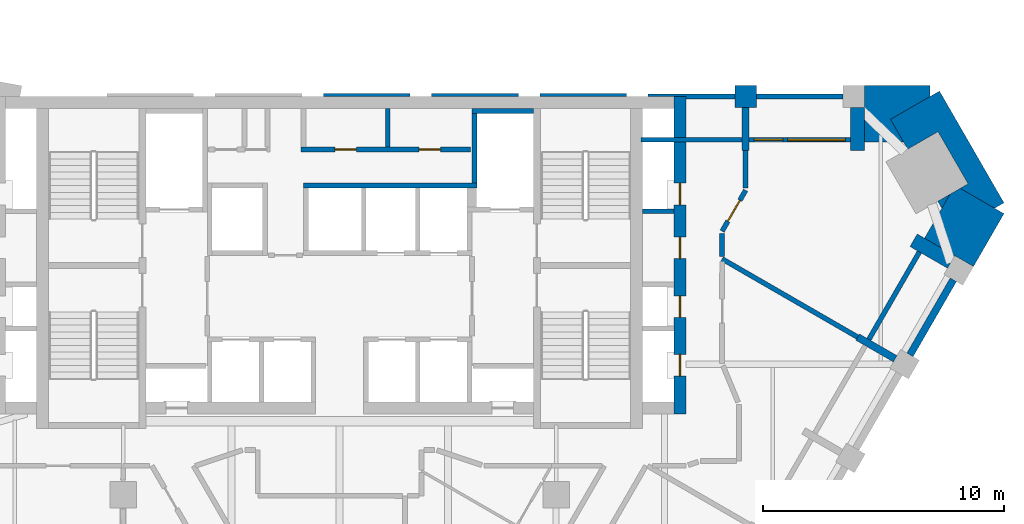
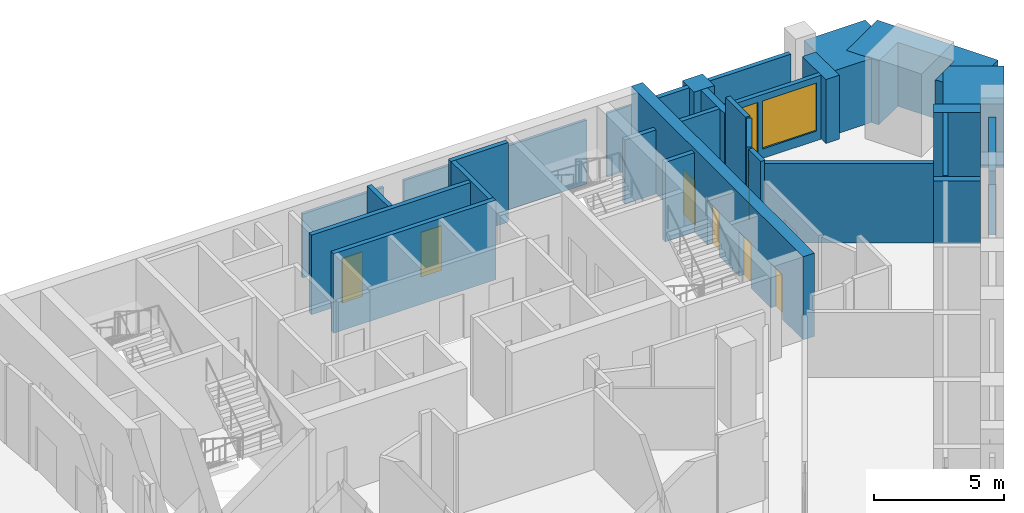
# One storey, part 7 of 9: 29 walls, 8 doors, 1 window, 9 openings.
"""IFC4 building model written with IfcOpenShell, lengths in metres."""

from ifc_helpers import new_model, si_unit, direction, frame, frame_2d, origin, place, context, subcontext, project, spatial, polyline, rectangle, outline, extrude, material, layer, layer_set, type_object, element, fill, save


model = new_model("IFC4")

# Units and contexts
model_context = context("Model", 3, precision=1e-05, world=origin(), true_north=direction((0.0, 1.0)))
body_context = subcontext(model_context, "Body", "Model", "MODEL_VIEW")
ifc_project = project(units=[si_unit("LENGTHUNIT", "METRE"), si_unit("AREAUNIT", "SQUARE_METRE"), si_unit("VOLUMEUNIT", "CUBIC_METRE"), si_unit("PLANEANGLEUNIT", "RADIAN"), si_unit("MASSUNIT", "GRAM", prefix="KILO")], contexts=[model_context])

# Site, building, storey
site_placement = place(None, origin())
site = spatial("IfcSite", under=ifc_project, at=site_placement, CompositionType="ELEMENT")
building_placement = place(site_placement, origin())
building = spatial("IfcBuilding", under=site, at=building_placement, Name="Calabash Gate Tower", CompositionType="ELEMENT")
storey_placement = place(building_placement, frame((0.0, 0.0, 200.300048828125)))
storey = spatial("IfcBuildingStorey", under=building, at=storey_placement, Name="L47", CompositionType="ELEMENT", Elevation=200.300048828125)

# Walls
ifc_material_1 = material(Name="Terracotta brick masonry, exposed face", Category="masonry")
ifc_layer_1 = layer(ifc_material_1, 2.35009765625)
ifc_layer_set_1 = layer_set([ifc_layer_1], Name="Brick corner mass wall 2350")
wall_type_1 = type_object("IfcWallType", Name="Brick corner mass wall 2350", PredefinedType="SOLIDWALL", material=ifc_layer_set_1)
wall_1_placement = place(storey_placement, origin())
element("IfcWall", 1, at=wall_1_placement, inside=storey, type_object=wall_type_1, Name="Brick corner pier S13 3a", PredefinedType="SOLIDWALL", context=body_context, shape_type="SweptSolid", body=[
    extrude(outline(polyline([(25.370361328125, 14.987060546875), (24.3154296875, 13.159912109375), (26.3505859375, 11.98486328125), (27.61865234375, 14.181396484375), (25.796630859375, 15.233154296875), (25.370361328125, 14.987060546875)])), origin(), (0.0, 0.0, 1.0), 3.0),
])
wall_2_placement = place(storey_placement, origin())
element("IfcWall", 2, at=wall_2_placement, inside=storey, type_object=wall_type_1, Name="Brick corner pier S13 3ba", PredefinedType="SOLIDWALL", context=body_context, shape_type="SweptSolid", body=[
    extrude(outline(polyline([(25.03515625, 14.40625), (25.370361328125, 14.987060546875), (24.867431640625, 14.69677734375), (25.03515625, 14.40625)])), origin(), (0.0, 0.0, 1.0), 3.0),
])
wall_3_placement = place(storey_placement, origin())
element("IfcWall", 3, at=wall_3_placement, inside=storey, type_object=wall_type_1, Name="Brick corner pier S13 3bb", PredefinedType="SOLIDWALL", context=body_context, shape_type="SweptSolid", body=[
    extrude(outline(polyline([(22.901123046875, 18.1025390625), (23.617431640625, 16.86181640625), (24.87451171875, 17.587646484375), (26.12451171875, 15.42236328125), (25.796630859375, 15.233154296875), (27.22900390625, 14.40625), (27.61865234375, 14.63134765625), (24.936279296875, 19.277587890625), (22.901123046875, 18.1025390625)])), origin(), (0.0, 0.0, 1.0), 3.0),
])
wall_4_placement = place(storey_placement, origin())
element("IfcWall", 4, at=wall_4_placement, inside=storey, type_object=wall_type_1, Name="Brick corner pier S13 3c", PredefinedType="SOLIDWALL", context=body_context, shape_type="SweptSolid", body=[
    extrude(outline(polyline([(21.827880859375, 18.60302734375), (21.827880859375, 17.152587890625), (23.449462890625, 17.152587890625), (22.901123046875, 18.1025390625), (24.54638671875, 19.052490234375), (24.54638671875, 19.50244140625), (21.827880859375, 19.50244140625), (21.827880859375, 18.60302734375), (21.827880859375, 18.60302734375)])), origin(), (0.0, 0.0, 1.0), 3.0),
])
ifc_material_2 = material(Name="Terracotta brick masonry, exposed face", Category="masonry")
ifc_layer_2 = layer(ifc_material_2, 0.89990234375)
ifc_layer_set_2 = layer_set([ifc_layer_2], Name="Brick end wall 900")
wall_type_2 = type_object("IfcWallType", Name="Brick end wall 900", PredefinedType="SOLIDWALL", material=ifc_layer_set_2)
wall_5_placement = place(storey_placement, origin())
element("IfcWall", 5, at=wall_5_placement, inside=storey, type_object=wall_type_2, Name="Brick pier S13 N4.1", PredefinedType="SOLIDWALL", context=body_context, shape_type="SweptSolid", body=[
    extrude(outline(polyline([(17.327880859375, 19.50244140625), (16.427734375, 19.50244140625), (16.427734375, 18.6025390625), (17.327880859375, 18.6025390625), (17.327880859375, 19.50244140625)])), origin(), (0.0, 0.0, 1.0), 3.0),
])
ifc_material_3 = material(Name="Terracotta brick masonry, exposed face", Category="masonry")
ifc_layer_3 = layer(ifc_material_3, 0.300048828125)
ifc_layer_set_3 = layer_set([ifc_layer_3], Name="Brick infill panel wall 300")
wall_type_3 = type_object("IfcWallType", Name="Brick infill panel wall 300", PredefinedType="SOLIDWALL", material=ifc_layer_set_3)
wall_6_placement = place(storey_placement, frame((23.7109375, 8.312744140625, 0.0), z_axis=(0.0, 0.0, 1.0), x_axis=(0.500012057535, 0.866018442252, 0.0)))
element("IfcWall", 6, at=wall_6_placement, inside=storey, type_object=wall_type_3, Name="Brick panel S13 SE2.9", PredefinedType="SOLIDWALL", context=body_context, shape_type="SweptSolid", body=[
    extrude(rectangle(XDim=3.60009765625, YDim=0.300048828125, at=frame_2d((1.800048828125, 0.0))), origin(), (0.0, 0.0, 1.0), 3.0),
])
ifc_material_4 = material(Name="Terracotta brick masonry, exposed face", Category="masonry")
ifc_layer_4 = layer(ifc_material_4, 0.300048828125)
ifc_layer_set_4 = layer_set([ifc_layer_4], Name="Brick loggia cheek wall 300")
wall_type_4 = type_object("IfcWallType", Name="Brick loggia cheek wall 300", PredefinedType="SOLIDWALL", material=ifc_layer_set_4)
wall_7_placement = place(storey_placement, frame((23.09619140625, 8.148193359375, 0.0), z_axis=(0.0, 0.0, 1.0), x_axis=(-0.866047807691, 0.499961193289, 0.0)))
element("IfcWall", 7, at=wall_7_placement, inside=storey, type_object=wall_type_4, Name="Loggia cheek S13 SE2.8", PredefinedType="SOLIDWALL", context=body_context, shape_type="SweptSolid", body=[
    extrude(rectangle(XDim=1.800048828125, YDim=0.300048828125, at=frame_2d((0.89990234375, 0.0))), origin(), (0.0, 0.0, 1.0), 2.949951171875),
])
wall_8_placement = place(storey_placement, frame((25.421142578125, 12.175048828125, 0.0), z_axis=(0.0, 0.0, 1.0), x_axis=(-0.865989075817, 0.500062916607, 0.0)))
element("IfcWall", 8, at=wall_8_placement, inside=storey, type_object=wall_type_4, Name="Loggia cheek S13 SE2.9", PredefinedType="SOLIDWALL", context=body_context, shape_type="SweptSolid", body=[
    extrude(rectangle(XDim=1.800048828125, YDim=0.60009765625, at=frame_2d((0.89990234375, 0.0))), origin(), (0.0, 0.0, 1.0), 3.0),
])
wall_9_placement = place(storey_placement, origin())
element("IfcWall", 9, at=wall_9_placement, inside=storey, type_object=wall_type_4, Name="Loggia cheek S13 N4.0", PredefinedType="SOLIDWALL", context=body_context, shape_type="SweptSolid", body=[
    extrude(outline(polyline([(21.827880859375, 16.802490234375), (21.827880859375, 18.6025390625), (21.227783203125, 18.6025390625), (21.227783203125, 16.802490234375), (21.827880859375, 16.802490234375)])), origin(), (0.0, 0.0, 1.0), 3.0),
])
wall_10_placement = place(storey_placement, origin())
element("IfcWall", 10, at=wall_10_placement, inside=storey, type_object=wall_type_4, Name="Loggia cheek S13 N4.1", PredefinedType="SOLIDWALL", context=body_context, shape_type="SweptSolid", body=[
    extrude(outline(polyline([(17.02783203125, 18.6025390625), (16.727783203125, 18.6025390625), (16.727783203125, 16.802490234375), (17.02783203125, 16.802490234375), (17.02783203125, 18.6025390625)])), origin(), (0.0, 0.0, 1.0), 3.0),
])
ifc_material_5 = material(Name="Gypsum board on steel studs, mineral wool", Category="steel")
ifc_layer_5 = layer(ifc_material_5, 0.199951171875)
ifc_layer_set_5 = layer_set([ifc_layer_5], Name="Core partition 200 gypsum board")
wall_type_5 = type_object("IfcWallType", Name="Core partition 200 gypsum board", PredefinedType="PARTITIONING", material=ifc_layer_set_5)
wall_11_placement = place(storey_placement, frame((2.0, 16.95263671875, 0.0), z_axis=(0.0, 0.0, 1.0), x_axis=(0.0, 1.0, 0.0)))
element("IfcWall", 11, at=wall_11_placement, inside=storey, type_object=wall_type_5, Name="Core partition", PredefinedType="PARTITIONING", context=body_context, shape_type="SweptSolid", body=[
    extrude(rectangle(XDim=1.599853515625, YDim=0.199951171875, at=frame_2d((0.7998046875, 0.0))), origin(), (0.0, 0.0, 1.0), 3.72998046875),
])

# Wall, openings, doors
ifc_material_6 = material(Name="Concrete C70/85", Category="concrete")
ifc_layer_6 = layer(ifc_material_6, 0.5)
ifc_layer_set_6 = layer_set([ifc_layer_6], Name="Core wall 500 Concrete C70/85")
wall_type_6 = type_object("IfcWallType", Name="Core wall 500 Concrete C70/85", PredefinedType="SHEAR", material=ifc_layer_set_6)
wall_12_placement = place(storey_placement, frame((14.14990234375, 5.8525390625, 0.0), z_axis=(0.0, 0.0, 1.0), x_axis=(0.0, 1.0, 0.0)))
wall_12 = element("IfcWall", 12, at=wall_12_placement, inside=storey, type_object=wall_type_6, Name="Core wall Z4-ENDE L47", PredefinedType="SHEAR", context=body_context, shape_type="SweptSolid", body=[
    extrude(rectangle(XDim=13.199951171875, YDim=0.5, at=frame_2d((6.60009765625, 0.0))), origin(), (0.0, 0.0, 1.0), 3.89990234375),
])
opening_1_placement = place(wall_12_placement, frame((1.574951171875, 0.0, 0.0)))
opening_1 = element("IfcOpeningElement", 13, at=opening_1_placement, cuts=wall_12, Name="Opening O5-001", PredefinedType="OPENING", context=body_context, shape_type="SweptSolid", body=[
    extrude(rectangle(XDim=0.89990234375, YDim=2.10009765625, at=frame_2d((0.449951171875, 1.050048828125))), frame((0.0, 0.260009765625, 0.0), z_axis=(0.0, -1.0, 0.0), x_axis=(1.0, 0.0, 0.0)), (0.0, 0.0, 1.0), 0.52001953125),
])
opening_2_placement = place(wall_12_placement, frame((4.014892578125, 0.0, 0.0)))
opening_2 = element("IfcOpeningElement", 14, at=opening_2_placement, cuts=wall_12, Name="Opening O5-002", PredefinedType="OPENING", context=body_context, shape_type="SweptSolid", body=[
    extrude(rectangle(XDim=0.89990234375, YDim=2.10009765625, at=frame_2d((0.449951171875, 1.050048828125))), frame((0.0, 0.260009765625, 0.0), z_axis=(0.0, -1.0, 0.0), x_axis=(1.0, 0.0, 0.0)), (0.0, 0.0, 1.0), 0.52001953125),
])
opening_3_placement = place(wall_12_placement, frame((6.455078125, 0.0, 0.0)))
opening_3 = element("IfcOpeningElement", 15, at=opening_3_placement, cuts=wall_12, Name="Opening O5-003", PredefinedType="OPENING", context=body_context, shape_type="SweptSolid", body=[
    extrude(rectangle(XDim=0.89990234375, YDim=2.10009765625, at=frame_2d((0.449951171875, 1.050048828125))), frame((0.0, 0.260009765625, 0.0), z_axis=(0.0, -1.0, 0.0), x_axis=(1.0, 0.0, 0.0)), (0.0, 0.0, 1.0), 0.52001953125),
])
opening_4_placement = place(wall_12_placement, frame((8.697509765625, 0.0, 0.0)))
opening_4 = element("IfcOpeningElement", 16, at=opening_4_placement, cuts=wall_12, Name="Opening O5-004", PredefinedType="OPENING", context=body_context, shape_type="SweptSolid", body=[
    extrude(rectangle(XDim=0.89990234375, YDim=2.10009765625, at=frame_2d((0.449951171875, 1.050048828125))), frame((0.0, 0.260009765625, 0.0), z_axis=(0.0, -1.0, 0.0), x_axis=(1.0, 0.0, 0.0)), (0.0, 0.0, 1.0), 0.52001953125),
])
ifc_material_7 = material(Name="Steel fire door set with fire-resisting glazing", Category="steel")
door_type_1 = type_object("IfcDoorType", Name="Fire door D06 900x2100 FD60", OperationType="NOTDEFINED", PredefinedType="DOOR", material=ifc_material_7)
door_1_placement = place(opening_1_placement, origin())
door_1 = element("IfcDoor", 17, at=door_1_placement, inside=storey, type_object=door_type_1, Name="Electrical Riser door", OperationType="SINGLE_SWING_LEFT", OverallHeight=2.10009765625, OverallWidth=0.89990234375, PredefinedType="DOOR", context=body_context, shape_type="SweptSolid", body=[
    extrude(rectangle(XDim=0.89990234375, YDim=2.10009765625, at=frame_2d((0.449951171875, 1.050048828125))), frame((0.0, 0.02490234375, 0.0), z_axis=(0.0, -1.0, 0.0), x_axis=(1.0, 0.0, 0.0)), (0.0, 0.0, 1.0), 0.050048828125),
])
fill(opening_1, door_1)
door_2_placement = place(opening_2_placement, origin())
door_2 = element("IfcDoor", 18, at=door_2_placement, inside=storey, type_object=door_type_1, Name="Comms Riser door", OperationType="SINGLE_SWING_RIGHT", OverallHeight=2.10009765625, OverallWidth=0.89990234375, PredefinedType="DOOR", context=body_context, shape_type="SweptSolid", body=[
    extrude(rectangle(XDim=0.89990234375, YDim=2.10009765625, at=frame_2d((0.449951171875, 1.050048828125))), frame((0.0, 0.02490234375, 0.0), z_axis=(0.0, -1.0, 0.0), x_axis=(1.0, 0.0, 0.0)), (0.0, 0.0, 1.0), 0.050048828125),
])
fill(opening_2, door_2)
door_3_placement = place(opening_3_placement, origin())
door_3 = element("IfcDoor", 19, at=door_3_placement, inside=storey, type_object=door_type_1, Name="Cleaner's Store door", OperationType="SINGLE_SWING_LEFT", OverallHeight=2.10009765625, OverallWidth=0.89990234375, PredefinedType="DOOR", context=body_context, shape_type="SweptSolid", body=[
    extrude(rectangle(XDim=0.89990234375, YDim=2.10009765625, at=frame_2d((0.449951171875, 1.050048828125))), frame((0.0, 0.02490234375, 0.0), z_axis=(0.0, -1.0, 0.0), x_axis=(1.0, 0.0, 0.0)), (0.0, 0.0, 1.0), 0.050048828125),
])
fill(opening_3, door_3)
door_4_placement = place(opening_4_placement, origin())
door_4 = element("IfcDoor", 20, at=door_4_placement, inside=storey, type_object=door_type_1, Name="Duct Riser door", OperationType="SINGLE_SWING_LEFT", OverallHeight=2.10009765625, OverallWidth=0.89990234375, PredefinedType="DOOR", context=body_context, shape_type="SweptSolid", body=[
    extrude(rectangle(XDim=0.89990234375, YDim=2.10009765625, at=frame_2d((0.449951171875, 1.050048828125))), frame((0.0, 0.02490234375, 0.0), z_axis=(0.0, -1.0, 0.0), x_axis=(1.0, 0.0, 0.0)), (0.0, 0.0, 1.0), 0.050048828125),
])
fill(opening_4, door_4)

# Walls
ifc_material_8 = material(Name="Gypsum board on steel studs, mineral wool", Category="steel")
ifc_layer_7 = layer(ifc_material_8, 0.199951171875)
ifc_layer_set_7 = layer_set([ifc_layer_7], Name="Partition 200 gypsum board EI 60")
wall_type_7 = type_object("IfcWallType", Name="Partition 200 gypsum board EI 60", PredefinedType="PARTITIONING", material=ifc_layer_set_7)
wall_13_placement = place(storey_placement, frame((15.900390625, 12.30029296875, 0.0), z_axis=(0.0, 0.0, 1.0), x_axis=(0.86615310705, -0.499778746194, 0.0)))
element("IfcWall", 21, at=wall_13_placement, inside=storey, type_object=wall_type_7, Name="Partition", PredefinedType="PARTITIONING", context=body_context, shape_type="SweptSolid", body=[
    extrude(rectangle(XDim=6.5078125, YDim=0.199951171875, at=frame_2d((3.25390625, 0.0))), origin(), (0.0, 0.0, 1.0), 3.72998046875),
])
wall_14_placement = place(storey_placement, frame((15.900634765625, 13.352294921875, 0.0), z_axis=(0.0, 0.0, 1.0), x_axis=(0.001284025649, -0.999999175639, 0.0)))
element("IfcWall", 22, at=wall_14_placement, inside=storey, type_object=wall_type_7, Name="Partition", PredefinedType="PARTITIONING", context=body_context, shape_type="SweptSolid", body=[
    extrude(rectangle(XDim=0.95068359375, YDim=0.199951171875, at=frame_2d((0.475341796875, 0.0))), origin(), (0.0, 0.0, 1.0), 3.72998046875),
])

# Wall, opening, door
wall_15_placement = place(storey_placement, frame((15.900390625, 13.452392578125, 0.0), z_axis=(0.0, 0.0, 1.0), x_axis=(0.498590407305, 0.866837704385, 0.0)))
wall_15 = element("IfcWall", 23, at=wall_15_placement, inside=storey, type_object=wall_type_7, Name="Partition", PredefinedType="PARTITIONING", context=body_context, shape_type="SweptSolid", body=[
    extrude(rectangle(XDim=1.961181640625, YDim=0.199951171875, at=frame_2d((0.98046875, 0.0))), origin(), (0.0, 0.0, 1.0), 3.72998046875),
])
opening_5_placement = place(wall_15_placement, frame((0.480712890625, 0.0, 0.0)))
opening_5 = element("IfcOpeningElement", 24, at=opening_5_placement, cuts=wall_15, Name="Opening 46-48-010", PredefinedType="OPENING", context=body_context, shape_type="SweptSolid", body=[
    extrude(rectangle(XDim=1.0, YDim=2.10009765625, at=frame_2d((0.5, 1.050048828125))), frame((0.0, 0.10986328125, 0.0), z_axis=(0.0, -1.0, 0.0), x_axis=(1.0, 0.0, 0.0)), (0.0, 0.0, 1.0), 0.219970703125),
])
ifc_material_9 = material(Name="Steel fire door set with fire-resisting glazing", Category="steel")
door_type_2 = type_object("IfcDoorType", Name="LD2 Meeting room door 1000x2100", OperationType="NOTDEFINED", PredefinedType="DOOR", material=ifc_material_9)
door_5_placement = place(opening_5_placement, origin())
door_5 = element("IfcDoor", 25, at=door_5_placement, inside=storey, type_object=door_type_2, Name="Meeting room door", OperationType="SINGLE_SWING_LEFT", OverallHeight=2.10009765625, OverallWidth=1.0, PredefinedType="DOOR", context=body_context, shape_type="SweptSolid", body=[
    extrude(rectangle(XDim=1.0, YDim=2.10009765625, at=frame_2d((0.5, 1.050048828125))), frame((0.0, 0.02490234375, 0.0), z_axis=(0.0, -1.0, 0.0), x_axis=(1.0, 0.0, 0.0)), (0.0, 0.0, 1.0), 0.050048828125),
])
fill(opening_5, door_5)

# Walls
wall_16_placement = place(storey_placement, frame((16.878173828125, 15.252197265625, 0.0), z_axis=(0.0, 0.0, 1.0), x_axis=(0.000157480313, 0.9999999876, 0.0)))
element("IfcWall", 26, at=wall_16_placement, inside=storey, type_object=wall_type_7, Name="Partition", PredefinedType="PARTITIONING", context=body_context, shape_type="SweptSolid", body=[
    extrude(rectangle(XDim=1.55029296875, YDim=0.199951171875, at=frame_2d((0.775146484375, 0.0))), origin(), (0.0, 0.0, 1.0), 3.72998046875),
])
ifc_material_10 = material(Name="Concrete C40/50", Category="concrete")
ifc_layer_8 = layer(ifc_material_10, 0.199951171875)
ifc_layer_set_8 = layer_set([ifc_layer_8], Name="Shaft wall 200 Concrete C40/50")
wall_type_8 = type_object("IfcWallType", Name="Shaft wall 200 Concrete C40/50", PredefinedType="SOLIDWALL", material=ifc_layer_set_8)
wall_17_placement = place(storey_placement, frame((12.60009765625, 14.28271484375, 0.0), z_axis=(0.0, 0.0, 1.0), x_axis=(1.0, 0.0, 0.0)))
element("IfcWall", 27, at=wall_17_placement, inside=storey, type_object=wall_type_8, Name="Shaft wall", PredefinedType="SOLIDWALL", context=body_context, shape_type="SweptSolid", body=[
    extrude(rectangle(XDim=1.2998046875, YDim=0.199951171875, at=frame_2d((0.64990234375, 0.0))), origin(), (0.0, 0.0, 1.0), 3.72998046875),
])
wall_18_placement = place(storey_placement, frame((-1.5, 15.3525390625, 0.0), z_axis=(0.0, 0.0, 1.0), x_axis=(1.0, 0.0, 0.0)))
element("IfcWall", 28, at=wall_18_placement, inside=storey, type_object=wall_type_8, Name="Shaft wall", PredefinedType="SOLIDWALL", context=body_context, shape_type="SweptSolid", body=[
    extrude(rectangle(XDim=7.199951171875, YDim=0.199951171875, at=frame_2d((3.60009765625, 0.0))), origin(), (0.0, 0.0, 1.0), 3.72998046875),
])
wall_19_placement = place(storey_placement, frame((5.60009765625, 15.45263671875, 0.0), z_axis=(0.0, 0.0, 1.0), x_axis=(0.0, 1.0, 0.0)))
element("IfcWall", 29, at=wall_19_placement, inside=storey, type_object=wall_type_8, Name="Shaft wall", PredefinedType="SOLIDWALL", context=body_context, shape_type="SweptSolid", body=[
    extrude(rectangle(XDim=2.89990234375, YDim=0.199951171875, at=frame_2d((1.449951171875, 0.0))), origin(), (0.0, 0.0, 1.0), 3.72998046875),
])

# Wall, openings, doors
wall_20_placement = place(storey_placement, frame((-1.60009765625, 16.8525390625, 0.0), z_axis=(0.0, 0.0, 1.0), x_axis=(1.0, 0.0, 0.0)))
wall_20 = element("IfcWall", 30, at=wall_20_placement, inside=storey, type_object=wall_type_8, Name="Shaft wall", PredefinedType="SOLIDWALL", context=body_context, shape_type="SweptSolid", body=[
    extrude(rectangle(XDim=7.050048828125, YDim=0.199951171875, at=frame_2d((3.52490234375, 0.0))), origin(), (0.0, 0.0, 1.0), 3.72998046875),
])
opening_6_placement = place(wall_20_placement, frame((1.39990234375, 0.0, 0.0)))
opening_6 = element("IfcOpeningElement", 31, at=opening_6_placement, cuts=wall_20, Name="Opening O5-014", PredefinedType="OPENING", context=body_context, shape_type="SweptSolid", body=[
    extrude(rectangle(XDim=0.89990234375, YDim=2.10009765625, at=frame_2d((0.449951171875, 1.050048828125))), frame((0.0, 0.10986328125, 0.0), z_axis=(0.0, -1.0, 0.0), x_axis=(1.0, 0.0, 0.0)), (0.0, 0.0, 1.0), 0.219970703125),
])
opening_7_placement = place(wall_20_placement, frame((4.89990234375, 0.0, 0.0)))
opening_7 = element("IfcOpeningElement", 32, at=opening_7_placement, cuts=wall_20, Name="Opening O5-015", PredefinedType="OPENING", context=body_context, shape_type="SweptSolid", body=[
    extrude(rectangle(XDim=0.89990234375, YDim=2.10009765625, at=frame_2d((0.449951171875, 1.050048828125))), frame((0.0, 0.10986328125, 0.0), z_axis=(0.0, -1.0, 0.0), x_axis=(1.0, 0.0, 0.0)), (0.0, 0.0, 1.0), 0.219970703125),
])
door_6_placement = place(opening_6_placement, origin())
door_6 = element("IfcDoor", 33, at=door_6_placement, inside=storey, type_object=door_type_1, Name="Tenant Pantry door", OperationType="SINGLE_SWING_LEFT", OverallHeight=2.10009765625, OverallWidth=0.89990234375, PredefinedType="DOOR", context=body_context, shape_type="SweptSolid", body=[
    extrude(rectangle(XDim=0.89990234375, YDim=2.10009765625, at=frame_2d((0.449951171875, 1.050048828125))), frame((0.0, 0.02490234375, 0.0), z_axis=(0.0, -1.0, 0.0), x_axis=(1.0, 0.0, 0.0)), (0.0, 0.0, 1.0), 0.050048828125),
])
fill(opening_6, door_6)
door_7_placement = place(opening_7_placement, origin())
door_7 = element("IfcDoor", 34, at=door_7_placement, inside=storey, type_object=door_type_1, Name="Comms Room door", OperationType="SINGLE_SWING_LEFT", OverallHeight=2.10009765625, OverallWidth=0.89990234375, PredefinedType="DOOR", context=body_context, shape_type="SweptSolid", body=[
    extrude(rectangle(XDim=0.89990234375, YDim=2.10009765625, at=frame_2d((0.449951171875, 1.050048828125))), frame((0.0, 0.02490234375, 0.0), z_axis=(0.0, -1.0, 0.0), x_axis=(1.0, 0.0, 0.0)), (0.0, 0.0, 1.0), 0.050048828125),
])
fill(opening_7, door_7)

# Walls
wall_21_placement = place(storey_placement, frame((5.5, 18.45263671875, 0.0), z_axis=(0.0, 0.0, 1.0), x_axis=(1.0, 0.0, 0.0)))
element("IfcWall", 35, at=wall_21_placement, inside=storey, type_object=wall_type_8, Name="Shaft wall", PredefinedType="SOLIDWALL", context=body_context, shape_type="SweptSolid", body=[
    extrude(rectangle(XDim=2.550048828125, YDim=0.199951171875, at=frame_2d((1.27490234375, 0.0))), origin(), (0.0, 0.0, 1.0), 3.72998046875),
])
ifc_material_11 = material(Name="Terracotta brick masonry, perforated", Category="masonry")
ifc_layer_9 = layer(ifc_material_11, 0.1201171875)
ifc_layer_set_9 = layer_set([ifc_layer_9], Name="Terracotta jaali cladding A 120")
wall_type_9 = type_object("IfcWallType", Name="Terracotta jaali cladding A 120", PredefinedType="SOLIDWALL", material=ifc_layer_set_9)
wall_22_placement = place(storey_placement, origin())
element("IfcWall", 36, at=wall_22_placement, inside=storey, type_object=wall_type_9, Name="Jaali cladding S13 N4.3", PredefinedType="SOLIDWALL", context=body_context, shape_type="SweptSolid", body=[
    extrude(outline(polyline([(8.327880859375, 19.172607421875), (8.327880859375, 19.052490234375), (11.927734375, 19.052490234375), (11.927734375, 19.172607421875), (8.327880859375, 19.172607421875)])), origin(), (0.0, 0.0, 1.0), 3.0),
])
wall_23_placement = place(storey_placement, origin())
element("IfcWall", 37, at=wall_23_placement, inside=storey, type_object=wall_type_9, Name="Jaali cladding S13 N4.5", PredefinedType="SOLIDWALL", context=body_context, shape_type="SweptSolid", body=[
    extrude(outline(polyline([(-0.672119140625, 19.172607421875), (-0.672119140625, 19.052490234375), (2.927734375, 19.052490234375), (2.927734375, 19.172607421875), (-0.672119140625, 19.172607421875)])), origin(), (0.0, 0.0, 1.0), 3.0),
])
ifc_material_12 = material(Name="Terracotta brick masonry, perforated", Category="masonry")
ifc_layer_10 = layer(ifc_material_12, 0.199951171875)
ifc_layer_set_10 = layer_set([ifc_layer_10], Name="Terracotta jaali screen A")
wall_type_10 = type_object("IfcWallType", Name="Terracotta jaali screen A", PredefinedType="SOLIDWALL", material=ifc_layer_set_10)
wall_24_placement = place(storey_placement, frame((20.927734375, 19.052490234375, 0.0), z_axis=(0.0, 0.0, 1.0), x_axis=(-1.0, 0.0, 0.0)))
element("IfcWall", 38, at=wall_24_placement, inside=storey, type_object=wall_type_10, Name="SCREEN A S13 N4.1", PredefinedType="SOLIDWALL", context=body_context, shape_type="SweptSolid", body=[
    extrude(rectangle(XDim=3.599853515625, YDim=0.199951171875, at=frame_2d((1.7998046875, 0.0))), origin(), (0.0, 0.0, 1.0), 3.0),
])
wall_25_placement = place(storey_placement, origin())
element("IfcWall", 39, at=wall_25_placement, inside=storey, type_object=wall_type_10, Name="SCREEN A S13 N4.2", PredefinedType="SOLIDWALL", context=body_context, shape_type="SweptSolid", body=[
    extrude(outline(polyline([(16.427734375, 19.152587890625), (12.827880859375, 19.152587890625), (12.827880859375, 19.052490234375), (14.39990234375, 19.052490234375), (14.39990234375, 18.95263671875), (16.427734375, 18.95263671875), (16.427734375, 19.152587890625)])), origin(), (0.0, 0.0, 1.0), 3.0),
])
ifc_material_13 = material(Name="Terracotta louvre blades in an aluminium frame", Category="masonry")
ifc_layer_11 = layer(ifc_material_13, 0.1201171875)
ifc_layer_set_11 = layer_set([ifc_layer_11], Name="Terracotta vent louvre cladding 120")
wall_type_11 = type_object("IfcWallType", Name="Terracotta vent louvre cladding 120", PredefinedType="ELEMENTEDWALL", material=ifc_layer_set_11)
wall_26_placement = place(storey_placement, origin())
element("IfcWall", 40, at=wall_26_placement, inside=storey, type_object=wall_type_11, Name="Vent louvre cladding S13 N4.4", PredefinedType="ELEMENTEDWALL", context=body_context, shape_type="SweptSolid", body=[
    extrude(outline(polyline([(3.827880859375, 19.172607421875), (3.827880859375, 19.052490234375), (7.427734375, 19.052490234375), (7.427734375, 19.172607421875), (3.827880859375, 19.172607421875)])), origin(), (0.0, 0.0, 1.0), 3.0),
])
ifc_material_14 = material(Name="Aluminium framed window wall with insulated spandrel", Category="aluminium")
ifc_layer_12 = layer(ifc_material_14, 0.199951171875)
ifc_layer_set_12 = layer_set([ifc_layer_12], Name="Window wall 200")
wall_type_12 = type_object("IfcWallType", Name="Window wall 200", PredefinedType="ELEMENTEDWALL", material=ifc_layer_set_12)
wall_27_placement = place(storey_placement, frame((22.001953125, 8.952880859375, 0.0), z_axis=(0.0, 0.0, 1.0), x_axis=(0.500002543286, 0.866023935413, 0.0)))
element("IfcWall", 41, at=wall_27_placement, inside=storey, type_object=wall_type_12, Name="Window wall S13 SE2.9", PredefinedType="ELEMENTEDWALL", context=body_context, shape_type="SweptSolid", body=[
    extrude(rectangle(XDim=4.2001953125, YDim=0.199951171875, at=frame_2d((2.10009765625, 0.0))), origin(), (0.0, 0.0, 1.0), 3.0),
])

# Wall, openings, door, window
wall_28_placement = place(storey_placement, frame((21.227783203125, 17.25244140625, 0.0), z_axis=(0.0, 0.0, 1.0), x_axis=(-1.0, 0.0, 0.0)))
wall_28 = element("IfcWall", 42, at=wall_28_placement, inside=storey, type_object=wall_type_12, Name="Window wall S13 N4.1", PredefinedType="ELEMENTEDWALL", context=body_context, shape_type="SweptSolid", body=[
    extrude(rectangle(XDim=4.199951171875, YDim=0.199951171875, at=frame_2d((2.10009765625, 0.0))), origin(), (0.0, 0.0, 1.0), 3.0),
])
opening_8_placement = place(wall_28_placement, frame((0.199951171875, 0.0, 0.449951171875)))
opening_8 = element("IfcOpeningElement", 43, at=opening_8_placement, cuts=wall_28, Name="Opening OW1", PredefinedType="OPENING", context=body_context, shape_type="SweptSolid", body=[
    extrude(rectangle(XDim=2.39990234375, YDim=2.25, at=frame_2d((1.199951171875, 1.125))), frame((0.0, 0.10986328125, 0.0), z_axis=(0.0, -1.0, 0.0), x_axis=(1.0, 0.0, 0.0)), (0.0, 0.0, 1.0), 0.219970703125),
])
opening_9_placement = place(wall_28_placement, frame((2.800048828125, 0.0, 0.0)))
opening_9 = element("IfcOpeningElement", 44, at=opening_9_placement, cuts=wall_28, Name="Opening O5-022", PredefinedType="OPENING", context=body_context, shape_type="SweptSolid", body=[
    extrude(rectangle(XDim=1.199951171875, YDim=2.699951171875, at=frame_2d((0.60009765625, 1.35009765625))), frame((0.0, 0.10986328125, 0.0), z_axis=(0.0, -1.0, 0.0), x_axis=(1.0, 0.0, 0.0)), (0.0, 0.0, 1.0), 0.219970703125),
])
ifc_material_15 = material(Name="Anodised aluminium frame, bronze finish, impact-rated laminated clear glazing", Category="aluminium")
door_type_3 = type_object("IfcDoorType", Name="Loggia door DO1 1200x2700", OperationType="SLIDING_TO_LEFT", PredefinedType="DOOR", material=ifc_material_15)
door_8_placement = place(opening_9_placement, origin())
door_8 = element("IfcDoor", 45, at=door_8_placement, inside=storey, type_object=door_type_3, Name="Loggia door S13 N4.1", OperationType="SINGLE_SWING_LEFT", OverallHeight=2.699951171875, OverallWidth=1.199951171875, PredefinedType="DOOR", context=body_context, shape_type="SweptSolid", body=[
    extrude(rectangle(XDim=1.199951171875, YDim=2.699951171875, at=frame_2d((0.60009765625, 1.35009765625))), frame((0.0, 0.02490234375, 0.0), z_axis=(0.0, -1.0, 0.0), x_axis=(1.0, 0.0, 0.0)), (0.0, 0.0, 1.0), 0.050048828125),
])
fill(opening_9, door_8)
ifc_material_16 = material(Name="Anodised aluminium frame, bronze finish, impact-rated laminated clear glazing", Category="aluminium")
window_type = type_object("IfcWindowType", Name="Window OW1 2400x2250", PartitioningType="DOUBLE_PANEL_VERTICAL", PredefinedType="WINDOW", material=ifc_material_16)
window_placement = place(opening_8_placement, origin())
window = element("IfcWindow", 46, at=window_placement, inside=storey, type_object=window_type, Name="Window OW1 S13 N4.1", OverallHeight=2.25, OverallWidth=2.39990234375, PartitioningType="SINGLE_PANEL", PredefinedType="WINDOW", context=body_context, shape_type="SweptSolid", body=[
    extrude(rectangle(XDim=2.39990234375, YDim=2.25, at=frame_2d((1.199951171875, 1.125))), frame((0.0, 0.030029296875, 0.0), z_axis=(0.0, -1.0, 0.0), x_axis=(1.0, 0.0, 0.0)), (0.0, 0.0, 1.0), 0.06005859375),
])
fill(opening_8, window)

# Wall
wall_29_placement = place(storey_placement, frame((16.727783203125, 17.25244140625, 0.0), z_axis=(0.0, 0.0, 1.0), x_axis=(-1.0, 0.0, 0.0)))
element("IfcWall", 47, at=wall_29_placement, inside=storey, type_object=wall_type_12, Name="Window wall S13 N4.2", PredefinedType="ELEMENTEDWALL", context=body_context, shape_type="SweptSolid", body=[
    extrude(rectangle(XDim=4.199951171875, YDim=0.199951171875, at=frame_2d((2.10009765625, 0.0))), origin(), (0.0, 0.0, 1.0), 3.0),
])

save(model, "model.ifc")
